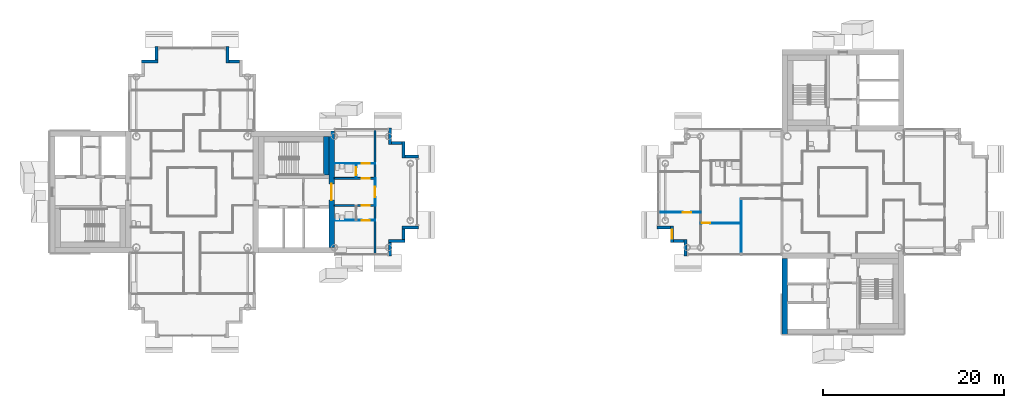
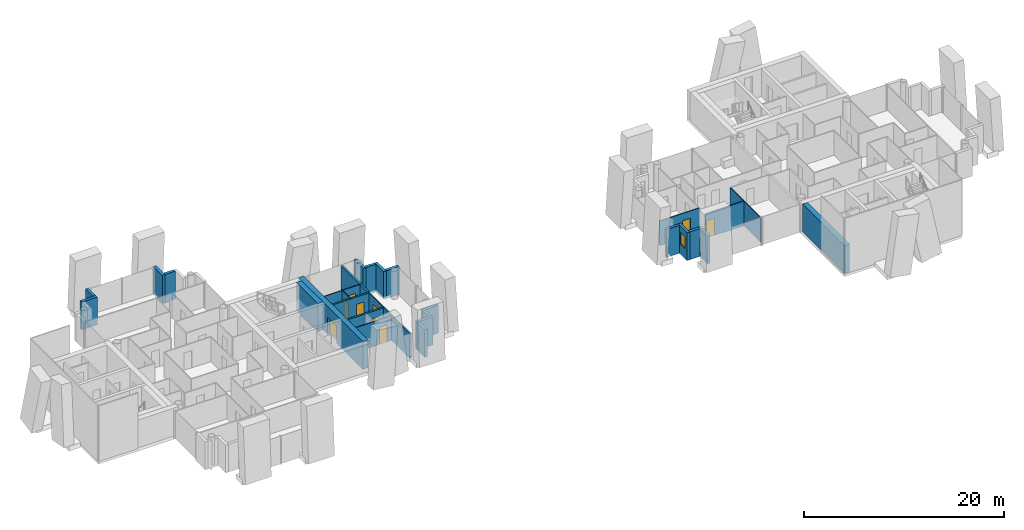
# One storey, part 8 of 18: 30 walls, 9 doors, 1 window, 10 openings.
"""IFC4 building model written with IfcOpenShell, lengths in metres."""

from ifc_helpers import new_model, si_unit, direction, frame, frame_2d, origin, place, context, subcontext, project, spatial, rectangle, extrude, material, layer, layer_set, type_object, element, fill, save


model = new_model("IFC4")

# Units and contexts
model_context = context("Model", 3, precision=1e-05, world=origin(), true_north=direction((0.0, 1.0)))
body_context = subcontext(model_context, "Body", "Model", "MODEL_VIEW")
ifc_project = project(units=[si_unit("LENGTHUNIT", "METRE"), si_unit("AREAUNIT", "SQUARE_METRE"), si_unit("VOLUMEUNIT", "CUBIC_METRE"), si_unit("PLANEANGLEUNIT", "RADIAN"), si_unit("MASSUNIT", "GRAM", prefix="KILO")], contexts=[model_context])

# Site, building, storey
site_placement = place(None, origin())
site = spatial("IfcSite", under=ifc_project, at=site_placement, CompositionType="ELEMENT")
building_placement = place(site_placement, origin())
building = spatial("IfcBuilding", under=site, at=building_placement, Name="Ipe Terrace Towers", CompositionType="ELEMENT")
storey_placement = place(building_placement, frame((0.0, 0.0, 196.0)))
storey = spatial("IfcBuildingStorey", under=building, at=storey_placement, Name="L54", CompositionType="ELEMENT", Elevation=196.0)

# Walls
ifc_material_1 = material(Name="Concrete C40/50 with buff precast cladding", Category="concrete")
ifc_layer_1 = layer(ifc_material_1, 0.320068359375)
ifc_layer_set_1 = layer_set([ifc_layer_1], Name="BUFF CLADDING WALL 320")
wall_type_1 = type_object("IfcWallType", Name="BUFF CLADDING WALL 320", PredefinedType="STANDARD", material=ifc_layer_set_1)
wall_1_placement = place(storey_placement, frame((-14.090087890625, -7.070068359375, -0.300048828125), z_axis=(0.0, 0.0, 1.0), x_axis=(0.0, 1.0, 0.0)))
element("IfcWall", 1, at=wall_1_placement, inside=storey, type_object=wall_type_1, Name="T1-W-L54-17a wall", PredefinedType="STANDARD", context=body_context, shape_type="SweptSolid", body=[
    extrude(rectangle(XDim=1.5, YDim=0.320068359375, at=frame_2d((0.75, 0.0))), origin(), (0.0, 0.0, 1.0), 3.400146484375),
])
wall_2_placement = place(storey_placement, frame((-14.25, -5.409912109375, -0.300048828125), z_axis=(0.0, 0.0, 1.0), x_axis=(1.0, 0.0, 0.0)))
element("IfcWall", 2, at=wall_2_placement, inside=storey, type_object=wall_type_1, Name="T1-W-L54-18a wall", PredefinedType="STANDARD", context=body_context, shape_type="SweptSolid", body=[
    extrude(rectangle(XDim=1.820068359375, YDim=0.320068359375, at=frame_2d((0.91015625, 0.0))), origin(), (0.0, 0.0, 1.0), 3.400146484375),
])
wall_3_placement = place(storey_placement, frame((-12.590087890625, -5.25, -0.300048828125), z_axis=(0.0, 0.0, 1.0), x_axis=(0.0, 1.0, 0.0)))
element("IfcWall", 3, at=wall_3_placement, inside=storey, type_object=wall_type_1, Name="T1-W-L54-19a wall", PredefinedType="STANDARD", context=body_context, shape_type="SweptSolid", body=[
    extrude(rectangle(XDim=1.179931640625, YDim=0.320068359375, at=frame_2d((0.58984375, 0.0))), origin(), (0.0, 0.0, 1.0), 3.400146484375),
])
wall_4_placement = place(storey_placement, frame((-12.75, -3.909912109375, -0.300048828125), z_axis=(0.0, 0.0, 1.0), x_axis=(1.0, 0.0, 0.0)))
element("IfcWall", 4, at=wall_4_placement, inside=storey, type_object=wall_type_1, Name="T1-W-L54-20a wall", PredefinedType="STANDARD", context=body_context, shape_type="SweptSolid", body=[
    extrude(rectangle(XDim=1.820068359375, YDim=0.320068359375, at=frame_2d((0.91015625, 0.0))), origin(), (0.0, 0.0, 1.0), 3.400146484375),
])
wall_5_placement = place(storey_placement, frame((-10.929931640625, 3.909912109375, -0.300048828125), z_axis=(0.0, 0.0, 1.0), x_axis=(-1.0, 0.0, 0.0)))
element("IfcWall", 5, at=wall_5_placement, inside=storey, type_object=wall_type_1, Name="T1-W-L54-22a wall", PredefinedType="STANDARD", context=body_context, shape_type="SweptSolid", body=[
    extrude(rectangle(XDim=1.5, YDim=0.320068359375, at=frame_2d((0.75, 0.0))), origin(), (0.0, 0.0, 1.0), 3.400146484375),
])
wall_6_placement = place(storey_placement, frame((-12.590087890625, 3.75, -0.300048828125), z_axis=(0.0, 0.0, 1.0), x_axis=(0.0, 1.0, 0.0)))
element("IfcWall", 6, at=wall_6_placement, inside=storey, type_object=wall_type_1, Name="T1-W-L54-23a wall", PredefinedType="STANDARD", context=body_context, shape_type="SweptSolid", body=[
    extrude(rectangle(XDim=1.820068359375, YDim=0.320068359375, at=frame_2d((0.91015625, 0.0))), origin(), (0.0, 0.0, 1.0), 3.400146484375),
])
wall_7_placement = place(storey_placement, frame((-12.75, 5.409912109375, -0.300048828125), z_axis=(0.0, 0.0, 1.0), x_axis=(-1.0, 0.0, 0.0)))
element("IfcWall", 7, at=wall_7_placement, inside=storey, type_object=wall_type_1, Name="T1-W-L54-24a wall", PredefinedType="STANDARD", context=body_context, shape_type="SweptSolid", body=[
    extrude(rectangle(XDim=1.179931640625, YDim=0.320068359375, at=frame_2d((0.58984375, 0.0))), origin(), (0.0, 0.0, 1.0), 3.400146484375),
])
wall_8_placement = place(storey_placement, frame((-14.090087890625, 5.25, -0.300048828125), z_axis=(0.0, 0.0, 1.0), x_axis=(0.0, 1.0, 0.0)))
element("IfcWall", 8, at=wall_8_placement, inside=storey, type_object=wall_type_1, Name="T1-W-L54-25a wall", PredefinedType="STANDARD", context=body_context, shape_type="SweptSolid", body=[
    extrude(rectangle(XDim=1.820068359375, YDim=0.320068359375, at=frame_2d((0.91015625, 0.0))), origin(), (0.0, 0.0, 1.0), 3.400146484375),
])
wall_9_placement = place(storey_placement, frame((-30.75, 14.409912109375, -0.300048828125), z_axis=(0.0, 0.0, 1.0), x_axis=(-1.0, 0.0, 0.0)))
element("IfcWall", 9, at=wall_9_placement, inside=storey, type_object=wall_type_1, Name="T1-W-L54-32a wall", PredefinedType="STANDARD", context=body_context, shape_type="SweptSolid", body=[
    extrude(rectangle(XDim=1.179931640625, YDim=0.320068359375, at=frame_2d((0.58984375, 0.0))), origin(), (0.0, 0.0, 1.0), 3.400146484375),
])
wall_10_placement = place(storey_placement, frame((-32.090087890625, 14.25, -0.300048828125), z_axis=(0.0, 0.0, 1.0), x_axis=(0.0, 1.0, 0.0)))
element("IfcWall", 10, at=wall_10_placement, inside=storey, type_object=wall_type_1, Name="T1-W-L54-33a wall", PredefinedType="STANDARD", context=body_context, shape_type="SweptSolid", body=[
    extrude(rectangle(XDim=1.820068359375, YDim=0.320068359375, at=frame_2d((0.91015625, 0.0))), origin(), (0.0, 0.0, 1.0), 3.400146484375),
])
wall_11_placement = place(storey_placement, frame((-39.909912109375, 16.070068359375, -0.300048828125), z_axis=(0.0, 0.0, 1.0), x_axis=(0.0, -1.0, 0.0)))
element("IfcWall", 11, at=wall_11_placement, inside=storey, type_object=wall_type_1, Name="T1-W-L54-35a wall", PredefinedType="STANDARD", context=body_context, shape_type="SweptSolid", body=[
    extrude(rectangle(XDim=1.5, YDim=0.320068359375, at=frame_2d((0.75, 0.0))), origin(), (0.0, 0.0, 1.0), 3.400146484375),
])
wall_12_placement = place(storey_placement, frame((-39.75, 14.409912109375, -0.300048828125), z_axis=(0.0, 0.0, 1.0), x_axis=(-1.0, 0.0, 0.0)))
element("IfcWall", 12, at=wall_12_placement, inside=storey, type_object=wall_type_1, Name="T1-W-L54-36a wall", PredefinedType="STANDARD", context=body_context, shape_type="SweptSolid", body=[
    extrude(rectangle(XDim=1.820068359375, YDim=0.320068359375, at=frame_2d((0.91015625, 0.0))), origin(), (0.0, 0.0, 1.0), 3.400146484375),
])
wall_13_placement = place(storey_placement, frame((15.429931640625, -3.909912109375, -0.300048828125), z_axis=(0.0, 0.0, 1.0), x_axis=(1.0, 0.0, 0.0)))
element("IfcWall", 13, at=wall_13_placement, inside=storey, type_object=wall_type_1, Name="T2-W-L54-27a wall", PredefinedType="STANDARD", context=body_context, shape_type="SweptSolid", body=[
    extrude(rectangle(XDim=1.5, YDim=0.320068359375, at=frame_2d((0.75, 0.0))), origin(), (0.0, 0.0, 1.0), 3.400146484375),
])

# Wall, opening, window
wall_14_placement = place(storey_placement, frame((17.090087890625, -3.75, -0.300048828125), z_axis=(0.0, 0.0, 1.0), x_axis=(0.0, -1.0, 0.0)))
wall_14 = element("IfcWall", 14, at=wall_14_placement, inside=storey, type_object=wall_type_1, Name="T2-W-L54-28a wall", PredefinedType="STANDARD", context=body_context, shape_type="SweptSolid", body=[
    extrude(rectangle(XDim=1.820068359375, YDim=0.320068359375, at=frame_2d((0.91015625, 0.0))), origin(), (0.0, 0.0, 1.0), 3.400146484375),
])
opening_1_placement = place(wall_14_placement, frame((0.409912109375, 0.0, 1.199951171875)))
opening_1 = element("IfcOpeningElement", 15, at=opening_1_placement, cuts=wall_14, Name="Opening T2-W-05-L54-01", PredefinedType="OPENING", context=body_context, shape_type="SweptSolid", body=[
    extrude(rectangle(XDim=1.0, YDim=1.5, at=frame_2d((0.5, 0.75))), frame((0.0, 0.169921875, 0.0), z_axis=(0.0, -1.0, 0.0), x_axis=(1.0, 0.0, 0.0)), (0.0, 0.0, 1.0), 0.340087890625),
])
ifc_material_2 = material(Name="Glass, clear laminated", Category="glass")
window_type = type_object("IfcWindowType", Name="DWELLING WINDOW 1000 x 1500", PartitioningType="SINGLE_PANEL", PredefinedType="WINDOW", material=ifc_material_2)
window_placement = place(opening_1_placement, origin())
window = element("IfcWindow", 16, at=window_placement, inside=storey, type_object=window_type, Name="W-05 window", OverallHeight=1.5, OverallWidth=1.0, PartitioningType="SINGLE_PANEL", PredefinedType="WINDOW", context=body_context, shape_type="SweptSolid", body=[
    extrude(rectangle(XDim=1.0, YDim=1.5, at=frame_2d((0.5, 0.75))), frame((0.0, 0.030029296875, 0.0), z_axis=(0.0, -1.0, 0.0), x_axis=(1.0, 0.0, 0.0)), (0.0, 0.0, 1.0), 0.06005859375),
])
fill(opening_1, window)

# Walls
wall_15_placement = place(storey_placement, frame((17.25, -5.409912109375, -0.300048828125), z_axis=(0.0, 0.0, 1.0), x_axis=(1.0, 0.0, 0.0)))
element("IfcWall", 17, at=wall_15_placement, inside=storey, type_object=wall_type_1, Name="T2-W-L54-29a wall", PredefinedType="STANDARD", context=body_context, shape_type="SweptSolid", body=[
    extrude(rectangle(XDim=1.179931640625, YDim=0.320068359375, at=frame_2d((0.58984375, 0.0))), origin(), (0.0, 0.0, 1.0), 3.400146484375),
])
wall_16_placement = place(storey_placement, frame((18.590087890625, -5.25, -0.300048828125), z_axis=(0.0, 0.0, 1.0), x_axis=(0.0, -1.0, 0.0)))
element("IfcWall", 18, at=wall_16_placement, inside=storey, type_object=wall_type_1, Name="T2-W-L54-30a wall", PredefinedType="STANDARD", context=body_context, shape_type="SweptSolid", body=[
    extrude(rectangle(XDim=1.820068359375, YDim=0.320068359375, at=frame_2d((0.91015625, 0.0))), origin(), (0.0, 0.0, 1.0), 3.400146484375),
])

# Wall, opening, door
ifc_material_3 = material(Name="Gypsum board partition", Category="plasterboard")
ifc_layer_2 = layer(ifc_material_3, 0.10009765625)
ifc_layer_set_2 = layer_set([ifc_layer_2], Name="Gypsum board partition 100 mm")
wall_type_2 = type_object("IfcWallType", Name="Gypsum board partition 100 mm", PredefinedType="PARTITIONING", material=ifc_layer_set_2)
wall_17_placement = place(storey_placement, frame((-17.85009765625, 1.5, 0.0), z_axis=(0.0, 0.0, 1.0), x_axis=(0.0, 1.0, 0.0)))
wall_17 = element("IfcWall", 19, at=wall_17_placement, inside=storey, type_object=wall_type_2, Name="Gypsum board partition T1 L54 W14", PredefinedType="PARTITIONING", context=body_context, shape_type="SweptSolid", body=[
    extrude(rectangle(XDim=1.64990234375, YDim=0.10009765625, at=frame_2d((0.824951171875, 0.0))), origin(), (0.0, 0.0, 1.0), 3.0),
])
opening_2_placement = place(wall_17_placement, frame((0.35009765625, 0.0, 0.0)))
opening_2 = element("IfcOpeningElement", 20, at=opening_2_placement, cuts=wall_17, Name="Opening T1-Z4D-18", PredefinedType="OPENING", context=body_context, shape_type="SweptSolid", body=[
    extrude(rectangle(XDim=0.89990234375, YDim=2.10009765625, at=frame_2d((0.449951171875, 1.050048828125))), frame((0.0, 0.06005859375, 0.0), z_axis=(0.0, -1.0, 0.0), x_axis=(1.0, 0.0, 0.0)), (0.0, 0.0, 1.0), 0.1201171875),
])
ifc_material_4 = material(Name="Timber door leaf", Category="wood")
door_type_1 = type_object("IfcDoorType", Name="Bathroom door 900 x 2100", OperationType="NOTDEFINED", PredefinedType="DOOR", material=ifc_material_4)
door_1_placement = place(opening_2_placement, origin())
door_1 = element("IfcDoor", 21, at=door_1_placement, inside=storey, type_object=door_type_1, Name="Bathroom door T1-Z4D-18", OperationType="SINGLE_SWING_RIGHT", OverallHeight=2.10009765625, OverallWidth=0.89990234375, PredefinedType="DOOR", context=body_context, shape_type="SweptSolid", body=[
    extrude(rectangle(XDim=0.89990234375, YDim=2.10009765625, at=frame_2d((0.449951171875, 1.050048828125))), frame((0.0, 0.02490234375, 0.0), z_axis=(0.0, -1.0, 0.0), x_axis=(1.0, 0.0, 0.0)), (0.0, 0.0, 1.0), 0.050048828125),
])
fill(opening_2, door_1)

wall_18_placement = place(storey_placement, frame((-15.75, -1.5, 0.0), z_axis=(0.0, 0.0, 1.0), x_axis=(0.0, 1.0, 0.0)))
wall_18 = element("IfcWall", 22, at=wall_18_placement, inside=storey, type_object=wall_type_2, Name="Gypsum board partition T1 L54 W15", PredefinedType="PARTITIONING", context=body_context, shape_type="SweptSolid", body=[
    extrude(rectangle(XDim=3.0, YDim=0.10009765625, at=frame_2d((1.5, 0.0))), origin(), (0.0, 0.0, 1.0), 3.0),
])
opening_3_placement = place(wall_18_placement, frame((0.89990234375, 0.0, 0.0)))
opening_3 = element("IfcOpeningElement", 23, at=opening_3_placement, cuts=wall_18, Name="Opening T1-Z4D-22", PredefinedType="OPENING", context=body_context, shape_type="SweptSolid", body=[
    extrude(rectangle(XDim=1.199951171875, YDim=2.10009765625, at=frame_2d((0.60009765625, 1.050048828125))), frame((0.0, 0.06005859375, 0.0), z_axis=(0.0, -1.0, 0.0), x_axis=(1.0, 0.0, 0.0)), (0.0, 0.0, 1.0), 0.1201171875),
])
ifc_material_5 = material(Name="Timber door leaf", Category="wood")
door_type_2 = type_object("IfcDoorType", Name="Lounge door 1200 x 2100", OperationType="NOTDEFINED", PredefinedType="DOOR", material=ifc_material_5)
door_2_placement = place(opening_3_placement, origin())
door_2 = element("IfcDoor", 24, at=door_2_placement, inside=storey, type_object=door_type_2, Name="Lounge door T1-Z4D-22", OperationType="SINGLE_SWING_RIGHT", OverallHeight=2.10009765625, OverallWidth=1.199951171875, PredefinedType="DOOR", context=body_context, shape_type="SweptSolid", body=[
    extrude(rectangle(XDim=1.199951171875, YDim=2.10009765625, at=frame_2d((0.60009765625, 1.050048828125))), frame((0.0, 0.02490234375, 0.0), z_axis=(0.0, -1.0, 0.0), x_axis=(1.0, 0.0, 0.0)), (0.0, 0.0, 1.0), 0.050048828125),
])
fill(opening_3, door_2)

wall_19_placement = place(storey_placement, frame((-20.25, -3.14990234375, 0.0), z_axis=(0.0, 0.0, 1.0), x_axis=(1.0, 0.0, 0.0)))
wall_19 = element("IfcWall", 25, at=wall_19_placement, inside=storey, type_object=wall_type_2, Name="Gypsum board partition T1 L54 W24", PredefinedType="PARTITIONING", context=body_context, shape_type="SweptSolid", body=[
    extrude(rectangle(XDim=4.5, YDim=0.10009765625, at=frame_2d((2.25, 0.0))), origin(), (0.0, 0.0, 1.0), 3.0),
])
opening_4_placement = place(wall_19_placement, frame((3.0, 0.0, 0.0)))
opening_4 = element("IfcOpeningElement", 26, at=opening_4_placement, cuts=wall_19, Name="Opening T1-Z4D-20", PredefinedType="OPENING", context=body_context, shape_type="SweptSolid", body=[
    extrude(rectangle(XDim=0.89990234375, YDim=2.10009765625, at=frame_2d((0.449951171875, 1.050048828125))), frame((0.0, 0.06005859375, 0.0), z_axis=(0.0, -1.0, 0.0), x_axis=(1.0, 0.0, 0.0)), (0.0, 0.0, 1.0), 0.1201171875),
])
ifc_material_6 = material(Name="Timber door leaf", Category="wood")
door_type_3 = type_object("IfcDoorType", Name="Bedroom door 900 x 2100", OperationType="NOTDEFINED", PredefinedType="DOOR", material=ifc_material_6)
door_3_placement = place(opening_4_placement, origin())
door_3 = element("IfcDoor", 27, at=door_3_placement, inside=storey, type_object=door_type_3, Name="Bedroom door T1-Z4D-20", OperationType="SINGLE_SWING_RIGHT", OverallHeight=2.10009765625, OverallWidth=0.89990234375, PredefinedType="DOOR", context=body_context, shape_type="SweptSolid", body=[
    extrude(rectangle(XDim=0.89990234375, YDim=2.10009765625, at=frame_2d((0.449951171875, 1.050048828125))), frame((0.0, 0.02490234375, 0.0), z_axis=(0.0, -1.0, 0.0), x_axis=(1.0, 0.0, 0.0)), (0.0, 0.0, 1.0), 0.050048828125),
])
fill(opening_4, door_3)

wall_20_placement = place(storey_placement, frame((-20.25, 3.14990234375, 0.0), z_axis=(0.0, 0.0, 1.0), x_axis=(1.0, 0.0, 0.0)))
wall_20 = element("IfcWall", 28, at=wall_20_placement, inside=storey, type_object=wall_type_2, Name="Gypsum board partition T1 L54 W33", PredefinedType="PARTITIONING", context=body_context, shape_type="SweptSolid", body=[
    extrude(rectangle(XDim=4.5, YDim=0.10009765625, at=frame_2d((2.25, 0.0))), origin(), (0.0, 0.0, 1.0), 3.0),
])
opening_5_placement = place(wall_20_placement, frame((3.0, 0.0, 0.0)))
opening_5 = element("IfcOpeningElement", 29, at=opening_5_placement, cuts=wall_20, Name="Opening T1-Z4D-17", PredefinedType="OPENING", context=body_context, shape_type="SweptSolid", body=[
    extrude(rectangle(XDim=0.89990234375, YDim=2.10009765625, at=frame_2d((0.449951171875, 1.050048828125))), frame((0.0, 0.06005859375, 0.0), z_axis=(0.0, -1.0, 0.0), x_axis=(1.0, 0.0, 0.0)), (0.0, 0.0, 1.0), 0.1201171875),
])
door_4_placement = place(opening_5_placement, origin())
door_4 = element("IfcDoor", 30, at=door_4_placement, inside=storey, type_object=door_type_3, Name="Bedroom door T1-Z4D-17", OperationType="SINGLE_SWING_LEFT", OverallHeight=2.10009765625, OverallWidth=0.89990234375, PredefinedType="DOOR", context=body_context, shape_type="SweptSolid", body=[
    extrude(rectangle(XDim=0.89990234375, YDim=2.10009765625, at=frame_2d((0.449951171875, 1.050048828125))), frame((0.0, 0.02490234375, 0.0), z_axis=(0.0, -1.0, 0.0), x_axis=(1.0, 0.0, 0.0)), (0.0, 0.0, 1.0), 0.050048828125),
])
fill(opening_5, door_4)

wall_21_placement = place(storey_placement, frame((24.75, -3.449951171875, 0.0), z_axis=(0.0, 0.0, 1.0), x_axis=(-1.0, 0.0, 0.0)))
wall_21 = element("IfcWall", 31, at=wall_21_placement, inside=storey, type_object=wall_type_2, Name="Gypsum board partition T2 L54 W03", PredefinedType="PARTITIONING", context=body_context, shape_type="SweptSolid", body=[
    extrude(rectangle(XDim=4.5, YDim=0.10009765625, at=frame_2d((2.25, 0.0))), origin(), (0.0, 0.0, 1.0), 3.0),
])
opening_6_placement = place(wall_21_placement, frame((3.449951171875, 0.0, 0.0)))
opening_6 = element("IfcOpeningElement", 32, at=opening_6_placement, cuts=wall_21, Name="Opening T2-Z4D-12", PredefinedType="OPENING", context=body_context, shape_type="SweptSolid", body=[
    extrude(rectangle(XDim=0.89990234375, YDim=2.10009765625, at=frame_2d((0.449951171875, 1.050048828125))), frame((0.0, 0.06005859375, 0.0), z_axis=(0.0, -1.0, 0.0), x_axis=(1.0, 0.0, 0.0)), (0.0, 0.0, 1.0), 0.1201171875),
])
door_5_placement = place(opening_6_placement, origin())
door_5 = element("IfcDoor", 33, at=door_5_placement, inside=storey, type_object=door_type_3, Name="Bedroom door T2-Z4D-12", OperationType="SINGLE_SWING_LEFT", OverallHeight=2.10009765625, OverallWidth=0.89990234375, PredefinedType="DOOR", context=body_context, shape_type="SweptSolid", body=[
    extrude(rectangle(XDim=0.89990234375, YDim=2.10009765625, at=frame_2d((0.449951171875, 1.050048828125))), frame((0.0, 0.02490234375, 0.0), z_axis=(0.0, -1.0, 0.0), x_axis=(1.0, 0.0, 0.0)), (0.0, 0.0, 1.0), 0.050048828125),
])
fill(opening_6, door_5)

wall_22_placement = place(storey_placement, frame((20.25, -2.25, 0.0), z_axis=(0.0, 0.0, 1.0), x_axis=(-1.0, 0.0, 0.0)))
wall_22 = element("IfcWall", 34, at=wall_22_placement, inside=storey, type_object=wall_type_2, Name="Gypsum board partition T2 L54 W06", PredefinedType="PARTITIONING", context=body_context, shape_type="SweptSolid", body=[
    extrude(rectangle(XDim=4.60009765625, YDim=0.10009765625, at=frame_2d((2.300048828125, 0.0))), origin(), (0.0, 0.0, 1.0), 3.0),
])
opening_7_placement = place(wall_22_placement, frame((1.050048828125, 0.0, 0.0)))
opening_7 = element("IfcOpeningElement", 35, at=opening_7_placement, cuts=wall_22, Name="Opening T2-Z4D-15", PredefinedType="OPENING", context=body_context, shape_type="SweptSolid", body=[
    extrude(rectangle(XDim=0.89990234375, YDim=2.10009765625, at=frame_2d((0.449951171875, 1.050048828125))), frame((0.0, 0.06005859375, 0.0), z_axis=(0.0, -1.0, 0.0), x_axis=(1.0, 0.0, 0.0)), (0.0, 0.0, 1.0), 0.1201171875),
])
door_6_placement = place(opening_7_placement, origin())
door_6 = element("IfcDoor", 36, at=door_6_placement, inside=storey, type_object=door_type_3, Name="Bedroom door T2-Z4D-15", OperationType="SINGLE_SWING_RIGHT", OverallHeight=2.10009765625, OverallWidth=0.89990234375, PredefinedType="DOOR", context=body_context, shape_type="SweptSolid", body=[
    extrude(rectangle(XDim=0.89990234375, YDim=2.10009765625, at=frame_2d((0.449951171875, 1.050048828125))), frame((0.0, 0.02490234375, 0.0), z_axis=(0.0, -1.0, 0.0), x_axis=(1.0, 0.0, 0.0)), (0.0, 0.0, 1.0), 0.050048828125),
])
fill(opening_7, door_6)

# Walls
wall_23_placement = place(storey_placement, frame((24.75, -6.85009765625, 0.0), z_axis=(0.0, 0.0, 1.0), x_axis=(0.0, 1.0, 0.0)))
element("IfcWall", 37, at=wall_23_placement, inside=storey, type_object=wall_type_2, Name="Gypsum board partition T2 L54 W35", PredefinedType="PARTITIONING", context=body_context, shape_type="SweptSolid", body=[
    extrude(rectangle(XDim=6.10009765625, YDim=0.10009765625, at=frame_2d((3.050048828125, 0.0))), origin(), (0.0, 0.0, 1.0), 3.0),
])
ifc_material_7 = material(Name="Gypsum board party wall", Category="plasterboard")
ifc_layer_3 = layer(ifc_material_7, 0.199951171875)
ifc_layer_set_3 = layer_set([ifc_layer_3], Name="Gypsum board party wall 200 mm")
wall_type_3 = type_object("IfcWallType", Name="Gypsum board party wall 200 mm", PredefinedType="SOLIDWALL", material=ifc_layer_set_3)
for number, where, z_axis, x_axis, name in (
    (38, (-15.75, -6.85009765625, 0.0), (0.0, 0.0, 1.0), (0.0, 1.0, 0.0), "Gypsum board party wall T1 L54 W16"),
    (39, (-15.75, 1.5, 0.0), (0.0, 0.0, 1.0), (0.0, 1.0, 0.0), "Gypsum board party wall T1 L54 W17"),
):
    element("IfcWall", number, at=place(storey_placement, frame(where, z_axis=z_axis, x_axis=x_axis)), inside=storey, type_object=wall_type_3, Name=name, PredefinedType="SOLIDWALL", context=body_context, shape_type="SweptSolid", body=[
        extrude(rectangle(XDim=5.35009765625, YDim=0.199951171875, at=frame_2d((2.675048828125, 0.0))), origin(), (0.0, 0.0, 1.0), 3.0),
    ])

# Wall, opening, door
wall_24_placement = place(storey_placement, frame((-20.25, -1.5, 0.0), z_axis=(0.0, 0.0, 1.0), x_axis=(1.0, 0.0, 0.0)))
wall_24 = element("IfcWall", 40, at=wall_24_placement, inside=storey, type_object=wall_type_3, Name="Gypsum board party wall T1 L54 W28", PredefinedType="SOLIDWALL", context=body_context, shape_type="SweptSolid", body=[
    extrude(rectangle(XDim=4.5, YDim=0.199951171875, at=frame_2d((2.25, 0.0))), origin(), (0.0, 0.0, 1.0), 3.0),
])
opening_8_placement = place(wall_24_placement, frame((3.0, 0.0, 0.0)))
opening_8 = element("IfcOpeningElement", 41, at=opening_8_placement, cuts=wall_24, Name="Opening T1-Z4D-19", PredefinedType="OPENING", context=body_context, shape_type="SweptSolid", body=[
    extrude(rectangle(XDim=0.89990234375, YDim=2.10009765625, at=frame_2d((0.449951171875, 1.050048828125))), frame((0.0, 0.10986328125, 0.0), z_axis=(0.0, -1.0, 0.0), x_axis=(1.0, 0.0, 0.0)), (0.0, 0.0, 1.0), 0.219970703125),
])
ifc_material_8 = material(Name="Fire-rated timber door leaf", Category="wood")
door_type_4 = type_object("IfcDoorType", Name="Flat entrance door 900 x 2100 FD30S", OperationType="NOTDEFINED", PredefinedType="DOOR", material=ifc_material_8)
door_7_placement = place(opening_8_placement, origin())
door_7 = element("IfcDoor", 42, at=door_7_placement, inside=storey, type_object=door_type_4, Name="Flat entrance door T1-Z4D-19", OperationType="SINGLE_SWING_RIGHT", OverallHeight=2.10009765625, OverallWidth=0.89990234375, PredefinedType="DOOR", context=body_context, shape_type="SweptSolid", body=[
    extrude(rectangle(XDim=0.89990234375, YDim=2.10009765625, at=frame_2d((0.449951171875, 1.050048828125))), frame((0.0, 0.02490234375, 0.0), z_axis=(0.0, -1.0, 0.0), x_axis=(1.0, 0.0, 0.0)), (0.0, 0.0, 1.0), 0.050048828125),
])
fill(opening_8, door_7)

wall_25_placement = place(storey_placement, frame((-20.25, 1.5, 0.0), z_axis=(0.0, 0.0, 1.0), x_axis=(1.0, 0.0, 0.0)))
wall_25 = element("IfcWall", 43, at=wall_25_placement, inside=storey, type_object=wall_type_3, Name="Gypsum board party wall T1 L54 W31", PredefinedType="SOLIDWALL", context=body_context, shape_type="SweptSolid", body=[
    extrude(rectangle(XDim=4.5, YDim=0.199951171875, at=frame_2d((2.25, 0.0))), origin(), (0.0, 0.0, 1.0), 3.0),
])
opening_9_placement = place(wall_25_placement, frame((3.0, 0.0, 0.0)))
opening_9 = element("IfcOpeningElement", 44, at=opening_9_placement, cuts=wall_25, Name="Opening T1-Z4D-16", PredefinedType="OPENING", context=body_context, shape_type="SweptSolid", body=[
    extrude(rectangle(XDim=0.89990234375, YDim=2.10009765625, at=frame_2d((0.449951171875, 1.050048828125))), frame((0.0, 0.10986328125, 0.0), z_axis=(0.0, -1.0, 0.0), x_axis=(1.0, 0.0, 0.0)), (0.0, 0.0, 1.0), 0.219970703125),
])
door_8_placement = place(opening_9_placement, origin())
door_8 = element("IfcDoor", 45, at=door_8_placement, inside=storey, type_object=door_type_4, Name="Flat entrance door T1-Z4D-16", OperationType="SINGLE_SWING_LEFT", OverallHeight=2.10009765625, OverallWidth=0.89990234375, PredefinedType="DOOR", context=body_context, shape_type="SweptSolid", body=[
    extrude(rectangle(XDim=0.89990234375, YDim=2.10009765625, at=frame_2d((0.449951171875, 1.050048828125))), frame((0.0, 0.02490234375, 0.0), z_axis=(0.0, -1.0, 0.0), x_axis=(1.0, 0.0, 0.0)), (0.0, 0.0, 1.0), 0.050048828125),
])
fill(opening_9, door_8)

# Wall
ifc_material_9 = material(Name="Concrete C40/50", Category="concrete")
ifc_layer_4 = layer(ifc_material_9, 0.60009765625)
ifc_layer_set_4 = layer_set([ifc_layer_4], Name="RW600 CORE INFILL WALL 600 C40-50")
wall_type_4 = type_object("IfcWallType", Name="RW600 CORE INFILL WALL 600 C40-50", PredefinedType="SHEAR", material=ifc_layer_set_4)
wall_26_placement = place(storey_placement, frame((-21.14990234375, 1.85009765625, 0.0), z_axis=(0.0, 0.0, 1.0), x_axis=(0.0, 1.0, 0.0)))
element("IfcWall", 46, at=wall_26_placement, inside=storey, type_object=wall_type_4, Name="Core infill wall T1-C1-far", PredefinedType="SHEAR", context=body_context, shape_type="SweptSolid", body=[
    extrude(rectangle(XDim=4.2998046875, YDim=0.60009765625, at=frame_2d((2.14990234375, 0.0))), origin(), (0.0, 0.0, 1.0), 3.39990234375),
])

# Wall, opening, door
ifc_material_10 = material(Name="Concrete C40/50", Category="concrete")
ifc_layer_5 = layer(ifc_material_10, 0.60009765625)
ifc_layer_set_5 = layer_set([ifc_layer_5], Name="RW600 CORE WALL 600 C40-50")
wall_type_5 = type_object("IfcWallType", Name="RW600 CORE WALL 600 C40-50", PredefinedType="SHEAR", material=ifc_layer_set_5)
wall_27_placement = place(storey_placement, frame((-20.550048828125, -6.14990234375, 0.0), z_axis=(0.0, 0.0, 1.0), x_axis=(0.0, 1.0, 0.0)))
wall_27 = element("IfcWall", 47, at=wall_27_placement, inside=storey, type_object=wall_type_5, Name="Core wall T1-C1-Z4-W02", PredefinedType="SHEAR", context=body_context, shape_type="SweptSolid", body=[
    extrude(rectangle(XDim=12.89990234375, YDim=0.60009765625, at=frame_2d((6.449951171875, 0.0))), origin(), (0.0, 0.0, 1.0), 3.39990234375),
])
opening_10_placement = place(wall_27_placement, frame((5.25, 0.0, 0.0)))
opening_10 = element("IfcOpeningElement", 48, at=opening_10_placement, cuts=wall_27, Name="Opening T1C1-FD", PredefinedType="OPENING", context=body_context, shape_type="SweptSolid", body=[
    extrude(rectangle(XDim=1.800048828125, YDim=2.10009765625, at=frame_2d((0.89990234375, 1.050048828125))), frame((0.0, 0.31005859375, 0.0), z_axis=(0.0, -1.0, 0.0), x_axis=(1.0, 0.0, 0.0)), (0.0, 0.0, 1.0), 0.6201171875),
])
ifc_material_11 = material(Name="Fire-rated timber door leaf", Category="wood")
door_type_5 = type_object("IfcDoorType", Name="Fire door 1800 x 2100 FD30S", OperationType="NOTDEFINED", PredefinedType="DOOR", material=ifc_material_11)
door_9_placement = place(opening_10_placement, origin())
door_9 = element("IfcDoor", 49, at=door_9_placement, inside=storey, type_object=door_type_5, Name="Fire door T1C1-FD", OperationType="SINGLE_SWING_LEFT", OverallHeight=2.10009765625, OverallWidth=1.800048828125, PredefinedType="DOOR", context=body_context, shape_type="SweptSolid", body=[
    extrude(rectangle(XDim=1.800048828125, YDim=2.10009765625, at=frame_2d((0.89990234375, 1.050048828125))), frame((0.0, 0.02490234375, 0.0), z_axis=(0.0, -1.0, 0.0), x_axis=(1.0, 0.0, 0.0)), (0.0, 0.0, 1.0), 0.050048828125),
])
fill(opening_10, door_9)

# Wall
wall_28_placement = place(storey_placement, frame((29.550048828125, -7.35009765625, 0.0), z_axis=(0.0, 0.0, 1.0), x_axis=(0.0, -1.0, 0.0)))
element("IfcWall", 50, at=wall_28_placement, inside=storey, type_object=wall_type_5, Name="Core wall T2-C2-Z4-W04", PredefinedType="SHEAR", context=body_context, shape_type="SweptSolid", body=[
    extrude(rectangle(XDim=8.39990234375, YDim=0.60009765625, at=frame_2d((4.199951171875, 0.0))), origin(), (0.0, 0.0, 1.0), 3.39990234375),
])

save(model, "model.ifc")
